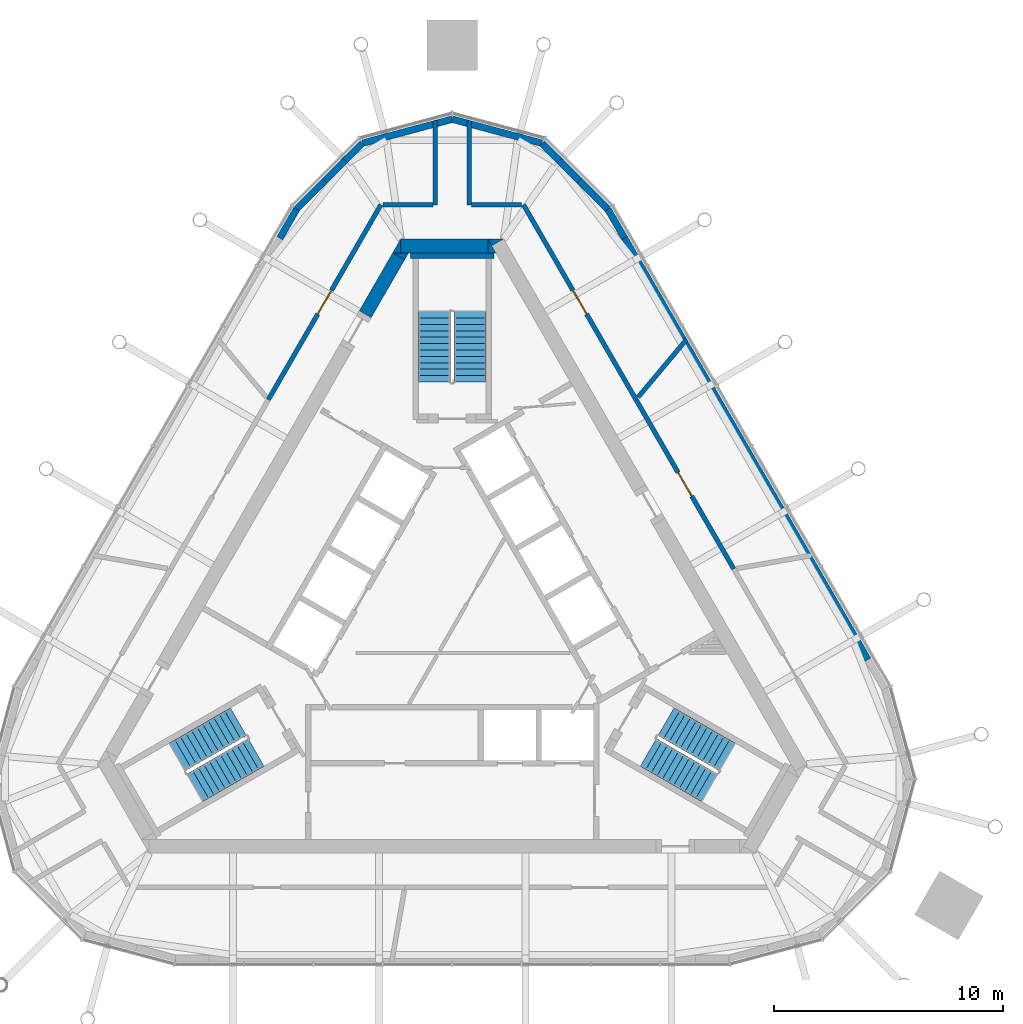
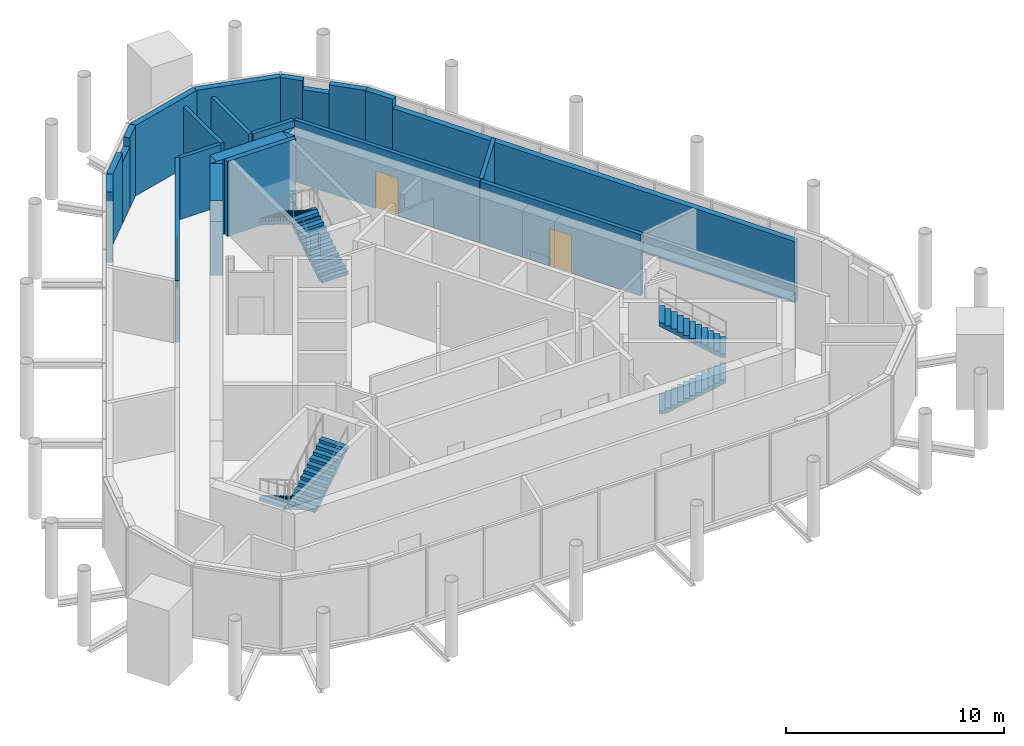
# One storey, part 10 of 11: 26 walls, 6 stair flights, 3 doors, 3 openings, 3 elements without a shape of their own.
"""IFC4 building model written with IfcOpenShell, lengths in metres."""

from ifc_helpers import new_model, si_unit, direction, frame, frame_2d, origin, place, context, subcontext, project, spatial, polyline, rectangle, outline, extrude, material, layer, layer_set, type_object, element, fill, aggregate, save


model = new_model("IFC4")

# Units and contexts
model_context = context("Model", 3, precision=1e-05, world=origin(), true_north=direction((0.0, 1.0)))
body_context = subcontext(model_context, "Body", "Model", "MODEL_VIEW")
ifc_project = project(units=[si_unit("LENGTHUNIT", "METRE"), si_unit("AREAUNIT", "SQUARE_METRE"), si_unit("VOLUMEUNIT", "CUBIC_METRE"), si_unit("PLANEANGLEUNIT", "RADIAN"), si_unit("MASSUNIT", "GRAM", prefix="KILO")], contexts=[model_context])

# Site, building, storey
site_placement = place(None, origin())
site = spatial("IfcSite", under=ifc_project, at=site_placement, CompositionType="ELEMENT")
building_placement = place(site_placement, origin())
building = spatial("IfcBuilding", under=site, at=building_placement, Name="Mestral Congress Tower", CompositionType="ELEMENT")
storey_placement = place(building_placement, frame((0.0, 0.0, 331.800048828125)))
storey = spatial("IfcBuildingStorey", under=building, at=storey_placement, Name="L77", CompositionType="ELEMENT", Elevation=331.800048828125)

# Walls
ifc_material_1 = material(Name="Concrete C60/75", Category="concrete")
ifc_layer_1 = layer(ifc_material_1, 0.60009765625)
ifc_layer_set_1 = layer_set([ifc_layer_1], Name="Concrete C60/75")
wall_type_1 = type_object("IfcWallType", Name="Core wall RC 600", PredefinedType="SOLIDWALL", material=ifc_layer_set_1)
placement = place(storey_placement, origin())
element("IfcWall", 1, at=placement, inside=storey, type_object=wall_type_1, Name="L77 core wall", PredefinedType="SOLIDWALL", context=body_context, shape_type="SweptSolid", body=[
    extrude(outline(polyline([(1.558837890625, 16.60009765625), (2.23486328125, 16.60009765625), (1.727783203125, 16.307373046875), (1.558837890625, 16.60009765625)])), origin(), (0.0, 0.0, 1.0), 4.199951171875),
])
wall_2_placement = place(storey_placement, frame((-2.258056640625, 16.300048828125, 0.0), z_axis=(0.0, 0.0, 1.0), x_axis=(1.0, 0.0, 0.0)))
element("IfcWall", 2, at=wall_2_placement, inside=storey, type_object=wall_type_1, Name="L77 core wall", PredefinedType="SOLIDWALL", context=body_context, shape_type="SweptSolid", body=[
    extrude(rectangle(XDim=3.8232421875, YDim=0.60009765625, at=frame_2d((1.91162109375, 0.0))), origin(), (0.0, 0.0, 1.0), 4.199951171875),
])
element("IfcWall", 3, at=placement, inside=storey, type_object=wall_type_1, Name="L77 core wall", PredefinedType="SOLIDWALL", context=body_context, shape_type="SweptSolid", body=[
    extrude(outline(polyline([(1.9052734375, 16.0), (1.5673828125, 16.0), (1.5673828125, 16.58544921875), (1.9052734375, 16.0)])), origin(), (0.0, 0.0, 1.0), 4.199951171875),
])
element("IfcWall", 4, at=placement, inside=storey, type_object=wall_type_1, Name="L77 core wall", PredefinedType="SOLIDWALL", context=body_context, shape_type="SweptSolid", body=[
    extrude(outline(polyline([(-2.59814453125, 16.0), (-2.260009765625, 16.58544921875), (-2.260009765625, 16.0), (-2.59814453125, 16.0)])), origin(), (0.0, 0.0, 1.0), 4.199951171875),
])
wall_5_placement = place(storey_placement, frame((-2.335205078125, 15.85546875, 0.0), z_axis=(0.0, 0.0, 1.0), x_axis=(-0.499960127962, -0.866048422692, 0.0)))
element("IfcWall", 5, at=wall_5_placement, inside=storey, type_object=wall_type_1, Name="L77 core wall", PredefinedType="SOLIDWALL", context=body_context, shape_type="SweptSolid", body=[
    extrude(rectangle(XDim=2.934326171875, YDim=0.60009765625, at=frame_2d((1.46728515625, 0.0))), origin(), (0.0, 0.0, 1.0), 4.199951171875),
])
element("IfcWall", 6, at=placement, inside=storey, type_object=wall_type_1, Name="L77 core wall", PredefinedType="SOLIDWALL", context=body_context, shape_type="SweptSolid", body=[
    extrude(outline(polyline([(-1.9052734375, 16.0), (-2.07421875, 15.707275390625), (-2.581298828125, 16.0), (-1.9052734375, 16.0)])), origin(), (0.0, 0.0, 1.0), 4.199951171875),
])
ifc_material_2 = material(Name="Precast concrete C40/50 with limestone facing", Category="masonry")
ifc_layer_2 = layer(ifc_material_2, 0.300048828125)
ifc_layer_set_2 = layer_set([ifc_layer_2], Name="Precast concrete C40/50 with limestone facing")
wall_type_2 = type_object("IfcWallType", Name="Crown plant block wall 300", PredefinedType="SOLIDWALL", material=ifc_layer_set_2)
wall_7_placement = place(storey_placement, frame((7.5400390625, 16.64013671875, 0.0), z_axis=(0.0, 0.0, 1.0), x_axis=(-0.499977492351, 0.866038398192, 0.0)))
element("IfcWall", 7, at=wall_7_placement, inside=storey, type_object=wall_type_2, Name="Plant block wall 5", PredefinedType="SOLIDWALL", context=body_context, shape_type="SweptSolid", body=[
    extrude(rectangle(XDim=1.4638671875, YDim=0.300048828125, at=frame_2d((0.73193359375, 0.0))), origin(), (0.0, 0.0, 1.0), 3.949951171875),
])
wall_8_placement = place(storey_placement, frame((6.80810546875, 17.907958984375, 0.0), z_axis=(0.0, 0.0, 1.0), x_axis=(-0.707106781187, 0.707106781187, 0.0)))
element("IfcWall", 8, at=wall_8_placement, inside=storey, type_object=wall_type_2, Name="Plant block wall 6", PredefinedType="SOLIDWALL", context=body_context, shape_type="SweptSolid", body=[
    extrude(rectangle(XDim=1.751953125, YDim=0.300048828125, at=frame_2d((0.8759765625, 0.0))), origin(), (0.0, 0.0, 1.0), 3.949951171875),
])
wall_9_placement = place(storey_placement, frame((4.67529296875, 20.040771484375, 0.0), z_axis=(0.0, 0.0, 1.0), x_axis=(-0.707106781187, 0.707106781187, 0.0)))
element("IfcWall", 9, at=wall_9_placement, inside=storey, type_object=wall_type_2, Name="Plant block wall 6", PredefinedType="SOLIDWALL", context=body_context, shape_type="SweptSolid", body=[
    extrude(rectangle(XDim=1.064697265625, YDim=0.300048828125, at=frame_2d((0.5322265625, 0.0))), origin(), (0.0, 0.0, 1.0), 3.949951171875),
])
for number, where, z_axis, x_axis, name in (
    (10, (3.92236328125, 20.793701171875, 0.0), (0.0, 0.0, 1.0), (-0.965923898226, 0.258826240624, 0.0), "Plant block wall 7"),
    (11, (0.0, 21.8447265625, 0.0), (0.0, 0.0, 1.0), (-0.965923898226, -0.258826240624, 0.0), "Plant block wall 8"),
):
    element("IfcWall", number, at=place(storey_placement, frame(where, z_axis=z_axis, x_axis=x_axis)), inside=storey, type_object=wall_type_2, Name=name, PredefinedType="SOLIDWALL", context=body_context, shape_type="SweptSolid", body=[
        extrude(rectangle(XDim=4.060791015625, YDim=0.300048828125, at=frame_2d((2.0302734375, 0.0))), origin(), (0.0, 0.0, 1.0), 3.949951171875),
    ])
wall_10_placement = place(storey_placement, frame((-3.92236328125, 20.793701171875, 0.0), z_axis=(0.0, 0.0, 1.0), x_axis=(-0.707106781187, -0.707106781187, 0.0)))
element("IfcWall", 12, at=wall_10_placement, inside=storey, type_object=wall_type_2, Name="Plant block wall 9", PredefinedType="SOLIDWALL", context=body_context, shape_type="SweptSolid", body=[
    extrude(rectangle(XDim=1.064697265625, YDim=0.300048828125, at=frame_2d((0.5322265625, 0.0))), origin(), (0.0, 0.0, 1.0), 3.949951171875),
])
wall_11_placement = place(storey_placement, frame((-5.5693359375, 19.146728515625, 0.0), z_axis=(0.0, 0.0, 1.0), x_axis=(-0.707106781187, -0.707106781187, 0.0)))
element("IfcWall", 13, at=wall_11_placement, inside=storey, type_object=wall_type_2, Name="Plant block wall 9", PredefinedType="SOLIDWALL", context=body_context, shape_type="SweptSolid", body=[
    extrude(rectangle(XDim=1.751953125, YDim=0.300048828125, at=frame_2d((0.8759765625, 0.0))), origin(), (0.0, 0.0, 1.0), 3.949951171875),
])
wall_12_placement = place(storey_placement, frame((-6.80810546875, 17.907958984375, 0.0), z_axis=(0.0, 0.0, 1.0), x_axis=(-0.499977492351, -0.866038398192, 0.0)))
element("IfcWall", 14, at=wall_12_placement, inside=storey, type_object=wall_type_2, Name="Plant block wall 10", PredefinedType="SOLIDWALL", context=body_context, shape_type="SweptSolid", body=[
    extrude(rectangle(XDim=1.4638671875, YDim=0.300048828125, at=frame_2d((0.73193359375, 0.0))), origin(), (0.0, 0.0, 1.0), 3.949951171875),
])
ifc_layer_3 = layer(ifc_material_2, 0.300048828125)
ifc_layer_set_3 = layer_set([ifc_layer_3], Name="Precast concrete C40/50 with limestone facing")
wall_type_3 = type_object("IfcWallType", Name="Crown plant block wall 300 under girder", PredefinedType="SOLIDWALL", material=ifc_layer_set_3)
wall_13_placement = place(storey_placement, frame((18.180908203125, -1.790283203125, 0.0), z_axis=(0.0, 0.0, 1.0), x_axis=(-0.500002158106, 0.866024157798, 0.0)))
element("IfcWall", 15, at=wall_13_placement, inside=storey, type_object=wall_type_3, Name="Plant block wall 5", PredefinedType="SOLIDWALL", context=body_context, shape_type="SweptSolid", body=[
    extrude(rectangle(XDim=21.28173828125, YDim=0.300048828125, at=frame_2d((10.640869140625, 0.0))), origin(), (0.0, 0.0, 1.0), 3.449951171875),
])
for number, where, z_axis, x_axis, name in (
    (16, (5.5693359375, 19.146728515625, 0.0), (0.0, 0.0, 1.0), (-0.707106781187, 0.707106781187, 0.0), "Plant block wall 6"),
    (17, (-4.67529296875, 20.040771484375, 0.0), (0.0, 0.0, 1.0), (-0.707106781187, -0.707106781187, 0.0), "Plant block wall 9"),
):
    element("IfcWall", number, at=place(storey_placement, frame(where, z_axis=z_axis, x_axis=x_axis)), inside=storey, type_object=wall_type_3, Name=name, PredefinedType="SOLIDWALL", context=body_context, shape_type="SweptSolid", body=[
        extrude(rectangle(XDim=1.264404296875, YDim=0.300048828125, at=frame_2d((0.63232421875, 0.0))), origin(), (0.0, 0.0, 1.0), 3.449951171875),
    ])

# Wall, opening, door
ifc_material_3 = material(Name="Concrete block wall, plastered", Category="concrete")
ifc_layer_4 = layer(ifc_material_3, 0.199951171875)
ifc_layer_set_4 = layer_set([ifc_layer_4], Name="Concrete block wall, plastered")
wall_type_4 = type_object("IfcWallType", Name="Special partition 200 EI 120", PredefinedType="PARTITIONING", material=ifc_layer_set_4)
wall_14_placement = place(storey_placement, frame((-3.11767578125, 18.10009765625, 0.0), z_axis=(0.0, 0.0, 1.0), x_axis=(-0.500003092839, -0.866023618125, 0.0)))
wall_14 = element("IfcWall", 18, at=wall_14_placement, inside=storey, type_object=wall_type_4, Name="Partition", PredefinedType="PARTITIONING", context=body_context, shape_type="SweptSolid", body=[
    extrude(rectangle(XDim=9.83984375, YDim=0.199951171875, at=frame_2d((4.919921875, 0.0))), origin(), (0.0, 0.0, 1.0), 3.449951171875),
])
opening_1_placement = place(wall_14_placement, frame((4.31982421875, 0.0, 0.0)))
opening_1 = element("IfcOpeningElement", 19, at=opening_1_placement, cuts=wall_14, Name="Opening K77-007", PredefinedType="OPENING", context=body_context, shape_type="SweptSolid", body=[
    extrude(rectangle(XDim=1.199951171875, YDim=2.10009765625, at=frame_2d((0.60009765625, 1.050048828125))), frame((0.0, 0.10986328125, 0.0), z_axis=(0.0, -1.0, 0.0), x_axis=(1.0, 0.0, 0.0)), (0.0, 0.0, 1.0), 0.219970703125),
])
ifc_material_4 = material(Name="Fire-rated steel door set", Category="steel")
door_type = type_object("IfcDoorType", Name="Plant room door 1200x2100", OperationType="SINGLE_SWING_LEFT", PredefinedType="DOOR", material=ifc_material_4)
door_1_placement = place(opening_1_placement, origin())
door_1 = element("IfcDoor", 20, at=door_1_placement, inside=storey, type_object=door_type, Name="Door K77-007", OperationType="SINGLE_SWING_RIGHT", OverallHeight=2.10009765625, OverallWidth=1.199951171875, PredefinedType="DOOR", context=body_context, shape_type="SweptSolid", body=[
    extrude(rectangle(XDim=1.199951171875, YDim=2.10009765625, at=frame_2d((0.60009765625, 1.050048828125))), frame((0.0, 0.02490234375, 0.0), z_axis=(0.0, -1.0, 0.0), x_axis=(1.0, 0.0, 0.0)), (0.0, 0.0, 1.0), 0.050048828125),
])
fill(opening_1, door_1)

wall_15_placement = place(storey_placement, frame((8.03759765625, 9.57861328125, 0.0), z_axis=(0.0, 0.0, 1.0), x_axis=(-0.500003092839, 0.866023618125, 0.0)))
wall_15 = element("IfcWall", 21, at=wall_15_placement, inside=storey, type_object=wall_type_4, Name="Partition", PredefinedType="PARTITIONING", context=body_context, shape_type="SweptSolid", body=[
    extrude(rectangle(XDim=9.83984375, YDim=0.199951171875, at=frame_2d((4.919921875, 0.0))), origin(), (0.0, 0.0, 1.0), 3.449951171875),
])
opening_2_placement = place(wall_15_placement, frame((4.31982421875, 0.0, 0.0)))
opening_2 = element("IfcOpeningElement", 22, at=opening_2_placement, cuts=wall_15, Name="Opening K77-006", PredefinedType="OPENING", context=body_context, shape_type="SweptSolid", body=[
    extrude(rectangle(XDim=1.199951171875, YDim=2.10009765625, at=frame_2d((0.60009765625, 1.050048828125))), frame((0.0, 0.10986328125, 0.0), z_axis=(0.0, -1.0, 0.0), x_axis=(1.0, 0.0, 0.0)), (0.0, 0.0, 1.0), 0.219970703125),
])
door_2_placement = place(opening_2_placement, origin())
door_2 = element("IfcDoor", 23, at=door_2_placement, inside=storey, type_object=door_type, Name="Door K77-006", OperationType="SINGLE_SWING_RIGHT", OverallHeight=2.10009765625, OverallWidth=1.199951171875, PredefinedType="DOOR", context=body_context, shape_type="SweptSolid", body=[
    extrude(rectangle(XDim=1.199951171875, YDim=2.10009765625, at=frame_2d((0.60009765625, 1.050048828125))), frame((0.0, 0.02490234375, 0.0), z_axis=(0.0, -1.0, 0.0), x_axis=(1.0, 0.0, 0.0)), (0.0, 0.0, 1.0), 0.050048828125),
])
fill(opening_2, door_2)

wall_16_placement = place(storey_placement, frame((12.30908203125, 2.1796875, 0.0), z_axis=(0.0, 0.0, 1.0), x_axis=(-0.499966798825, 0.866044571643, 0.0)))
wall_16 = element("IfcWall", 24, at=wall_16_placement, inside=storey, type_object=wall_type_4, Name="Partition", PredefinedType="PARTITIONING", context=body_context, shape_type="SweptSolid", body=[
    extrude(rectangle(XDim=8.53369140625, YDim=0.199951171875, at=frame_2d((4.266845703125, 0.0))), origin(), (0.0, 0.0, 1.0), 3.449951171875),
])
opening_3_placement = place(wall_16_placement, frame((3.6669921875, 0.0, 0.0)))
opening_3 = element("IfcOpeningElement", 25, at=opening_3_placement, cuts=wall_16, Name="Opening K77-005", PredefinedType="OPENING", context=body_context, shape_type="SweptSolid", body=[
    extrude(rectangle(XDim=1.199951171875, YDim=2.10009765625, at=frame_2d((0.60009765625, 1.050048828125))), frame((0.0, 0.10986328125, 0.0), z_axis=(0.0, -1.0, 0.0), x_axis=(1.0, 0.0, 0.0)), (0.0, 0.0, 1.0), 0.219970703125),
])
door_3_placement = place(opening_3_placement, origin())
door_3 = element("IfcDoor", 26, at=door_3_placement, inside=storey, type_object=door_type, Name="Door K77-005", OperationType="SINGLE_SWING_RIGHT", OverallHeight=2.10009765625, OverallWidth=1.199951171875, PredefinedType="DOOR", context=body_context, shape_type="SweptSolid", body=[
    extrude(rectangle(XDim=1.199951171875, YDim=2.10009765625, at=frame_2d((0.60009765625, 1.050048828125))), frame((0.0, 0.02490234375, 0.0), z_axis=(0.0, -1.0, 0.0), x_axis=(1.0, 0.0, 0.0)), (0.0, 0.0, 1.0), 0.050048828125),
])
fill(opening_3, door_3)

# Walls
for number, where, z_axis, x_axis, name in (
    (27, (0.75, 21.78857421875, 0.0), (0.0, 0.0, 1.0), (0.0, -1.0, 0.0), "Partition"),
    (28, (-0.75, 18.10009765625, 0.0), (0.0, 0.0, 1.0), (0.0, 1.0, 0.0), "Partition"),
):
    element("IfcWall", number, at=place(storey_placement, frame(where, z_axis=z_axis, x_axis=x_axis)), inside=storey, type_object=wall_type_4, Name=name, PredefinedType="PARTITIONING", context=body_context, shape_type="SweptSolid", body=[
        extrude(rectangle(XDim=3.6884765625, YDim=0.199951171875, at=frame_2d((1.84423828125, 0.0))), origin(), (0.0, 0.0, 1.0), 3.449951171875),
    ])
wall_17_placement = place(storey_placement, frame((8.12744140625, 9.685791015625, 0.0), z_axis=(0.0, 0.0, 1.0), x_axis=(0.642778991378, 0.766051674656, 0.0)))
element("IfcWall", 29, at=wall_17_placement, inside=storey, type_object=wall_type_4, Name="Partition", PredefinedType="PARTITIONING", context=body_context, shape_type="SweptSolid", body=[
    extrude(rectangle(XDim=3.299560546875, YDim=0.199951171875, at=frame_2d((1.64990234375, 0.0))), origin(), (0.0, 0.0, 1.0), 3.449951171875),
])
for number, where, z_axis, x_axis, name in (
    (30, (-3.027587890625, 18.10009765625, 0.0), (0.0, 0.0, 1.0), (1.0, 0.0, 0.0), "Partition"),
    (31, (0.85009765625, 18.10009765625, 0.0), (0.0, 0.0, 1.0), (1.0, 0.0, 0.0), "Partition"),
):
    element("IfcWall", number, at=place(storey_placement, frame(where, z_axis=z_axis, x_axis=x_axis)), inside=storey, type_object=wall_type_4, Name=name, PredefinedType="PARTITIONING", context=body_context, shape_type="SweptSolid", body=[
        extrude(rectangle(XDim=2.177490234375, YDim=0.199951171875, at=frame_2d((1.0888671875, 0.0))), origin(), (0.0, 0.0, 1.0), 3.449951171875),
    ])
ifc_layer_5 = layer(ifc_material_1, 0.25)
ifc_layer_set_5 = layer_set([ifc_layer_5], Name="Concrete C60/75")
wall_type_5 = type_object("IfcWallType", Name="Stair wall RC 250", PredefinedType="SOLIDWALL", material=ifc_layer_set_5)
wall_18_placement = place(storey_placement, frame((-1.81689453125, 15.875, 0.0), z_axis=(0.0, 0.0, 1.0), x_axis=(1.0, 0.0, 0.0)))
element("IfcWall", 32, at=wall_18_placement, inside=storey, type_object=wall_type_5, Name="L77 core wall", PredefinedType="SOLIDWALL", context=body_context, shape_type="SweptSolid", body=[
    extrude(rectangle(XDim=3.6337890625, YDim=0.25, at=frame_2d((1.81689453125, 0.0))), origin(), (0.0, 0.0, 1.0), 4.199951171875),
])

# Stair, stair flights
stair_type = type_object("IfcStairType", Name="Exit stair 1400", PredefinedType="HALF_TURN_STAIR", material=ifc_material_1)
stair_1 = element("IfcStair", 33, at=placement, inside=storey, type_object=stair_type, Name="L77 ST1", PredefinedType="HALF_TURN_STAIR")
stair_flight_type = type_object("IfcStairFlightType", Name="Exit stair flight 1400", PredefinedType="STRAIGHT", material=ifc_material_1)
stair_flight_1_placement = place(storey_placement, frame((8.575927734375, -5.84619140625, 0.0), z_axis=(0.0, 0.0, 1.0), x_axis=(0.866025403784, -0.5, 0.0)))
stair_flight_1 = element("IfcStairFlight", 34, at=stair_flight_1_placement, type_object=stair_flight_type, Name="ST1 flight 1", NumberOfRisers=12, NumberOfTreads=11, PredefinedType="STRAIGHT", RiserHeight=0.175, TreadLength=0.28, context=body_context, shape_type="SweptSolid", body=[
    extrude(outline(polyline([(0.0, 0.0), (0.0, 0.175048828125), (0.280029296875, 0.175048828125), (0.280029296875, 0.35009765625), (0.56005859375, 0.35009765625), (0.56005859375, 0.52490234375), (0.840087890625, 0.52490234375), (0.840087890625, 0.699951171875), (1.1201171875, 0.699951171875), (1.1201171875, 0.875), (1.39990234375, 0.875), (1.39990234375, 1.050048828125), (1.679931640625, 1.050048828125), (1.679931640625, 1.22509765625), (1.9599609375, 1.22509765625), (1.9599609375, 1.39990234375), (2.239990234375, 1.39990234375), (2.239990234375, 1.574951171875), (2.52001953125, 1.574951171875), (2.52001953125, 1.75), (2.800048828125, 1.75), (2.800048828125, 1.925048828125), (3.080078125, 1.925048828125), (3.080078125, 2.10009765625), (3.080078125, 1.748291015625), (0.28271484375, 0.0), (0.0, 0.0)])), frame((0.0, 0.699951171875, 0.0), z_axis=(0.0, -1.0, 0.0), x_axis=(1.0, 0.0, 0.0)), (0.0, 0.0, 1.0), 1.39990234375),
])
stair_flight_2_placement = place(storey_placement, frame((12.018310546875, -6.0439453125, 2.099853515625), z_axis=(0.0, 0.0, 1.0), x_axis=(-0.866025403784, 0.5, 0.0)))
stair_flight_2 = element("IfcStairFlight", 35, at=stair_flight_2_placement, type_object=stair_flight_type, Name="ST1 flight 2", NumberOfRisers=12, NumberOfTreads=11, PredefinedType="STRAIGHT", RiserHeight=0.175, TreadLength=0.28, context=body_context, shape_type="SweptSolid", body=[
    extrude(outline(polyline([(0.0, 0.0), (0.0, 0.175048828125), (0.280029296875, 0.175048828125), (0.280029296875, 0.35009765625), (0.56005859375, 0.35009765625), (0.56005859375, 0.52490234375), (0.840087890625, 0.52490234375), (0.840087890625, 0.699951171875), (1.1201171875, 0.699951171875), (1.1201171875, 0.875), (1.39990234375, 0.875), (1.39990234375, 1.050048828125), (1.679931640625, 1.050048828125), (1.679931640625, 1.22509765625), (1.9599609375, 1.22509765625), (1.9599609375, 1.39990234375), (2.239990234375, 1.39990234375), (2.239990234375, 1.574951171875), (2.52001953125, 1.574951171875), (2.52001953125, 1.75), (2.800048828125, 1.75), (2.800048828125, 1.925048828125), (3.080078125, 1.925048828125), (3.080078125, 2.10009765625), (3.080078125, 1.748291015625), (0.28271484375, 0.0), (0.0, 0.0)])), frame((0.0, 0.699951171875, 0.0), z_axis=(0.0, -1.0, 0.0), x_axis=(1.0, 0.0, 0.0)), (0.0, 0.0, 1.0), 1.39990234375),
])
aggregate(stair_1, [stair_flight_1, stair_flight_2])

stair_2 = element("IfcStair", 36, at=placement, inside=storey, type_object=stair_type, Name="L77 ST2", PredefinedType="HALF_TURN_STAIR")
stair_flight_3_placement = place(storey_placement, frame((0.77490234375, 10.35009765625, 0.0), z_axis=(0.0, 0.0, 1.0), x_axis=(0.0, 1.0, 0.0)))
stair_flight_3 = element("IfcStairFlight", 37, at=stair_flight_3_placement, type_object=stair_flight_type, Name="ST2 flight 1", NumberOfRisers=12, NumberOfTreads=11, PredefinedType="STRAIGHT", RiserHeight=0.175, TreadLength=0.28, context=body_context, shape_type="SweptSolid", body=[
    extrude(outline(polyline([(0.0, 0.0), (0.0, 0.175048828125), (0.280029296875, 0.175048828125), (0.280029296875, 0.35009765625), (0.56005859375, 0.35009765625), (0.56005859375, 0.52490234375), (0.840087890625, 0.52490234375), (0.840087890625, 0.699951171875), (1.1201171875, 0.699951171875), (1.1201171875, 0.875), (1.39990234375, 0.875), (1.39990234375, 1.050048828125), (1.679931640625, 1.050048828125), (1.679931640625, 1.22509765625), (1.9599609375, 1.22509765625), (1.9599609375, 1.39990234375), (2.239990234375, 1.39990234375), (2.239990234375, 1.574951171875), (2.52001953125, 1.574951171875), (2.52001953125, 1.75), (2.800048828125, 1.75), (2.800048828125, 1.925048828125), (3.080078125, 1.925048828125), (3.080078125, 2.10009765625), (3.080078125, 1.748291015625), (0.28271484375, 0.0), (0.0, 0.0)])), frame((0.0, 0.699951171875, 0.0), z_axis=(0.0, -1.0, 0.0), x_axis=(1.0, 0.0, 0.0)), (0.0, 0.0, 1.0), 1.39990234375),
])
stair_flight_4_placement = place(storey_placement, frame((-0.77490234375, 13.429931640625, 2.099853515625), z_axis=(0.0, 0.0, 1.0), x_axis=(0.0, -1.0, 0.0)))
stair_flight_4 = element("IfcStairFlight", 38, at=stair_flight_4_placement, type_object=stair_flight_type, Name="ST2 flight 2", NumberOfRisers=12, NumberOfTreads=11, PredefinedType="STRAIGHT", RiserHeight=0.175, TreadLength=0.28, context=body_context, shape_type="SweptSolid", body=[
    extrude(outline(polyline([(0.0, 0.0), (0.0, 0.175048828125), (0.280029296875, 0.175048828125), (0.280029296875, 0.35009765625), (0.56005859375, 0.35009765625), (0.56005859375, 0.52490234375), (0.840087890625, 0.52490234375), (0.840087890625, 0.699951171875), (1.1201171875, 0.699951171875), (1.1201171875, 0.875), (1.39990234375, 0.875), (1.39990234375, 1.050048828125), (1.679931640625, 1.050048828125), (1.679931640625, 1.22509765625), (1.9599609375, 1.22509765625), (1.9599609375, 1.39990234375), (2.239990234375, 1.39990234375), (2.239990234375, 1.574951171875), (2.52001953125, 1.574951171875), (2.52001953125, 1.75), (2.800048828125, 1.75), (2.800048828125, 1.925048828125), (3.080078125, 1.925048828125), (3.080078125, 2.10009765625), (3.080078125, 1.748291015625), (0.28271484375, 0.0), (0.0, 0.0)])), frame((0.0, 0.699951171875, 0.0), z_axis=(0.0, -1.0, 0.0), x_axis=(1.0, 0.0, 0.0)), (0.0, 0.0, 1.0), 1.39990234375),
])
aggregate(stair_2, [stair_flight_3, stair_flight_4])

stair_3 = element("IfcStair", 39, at=placement, inside=storey, type_object=stair_type, Name="L77 ST3", PredefinedType="HALF_TURN_STAIR")
stair_flight_5_placement = place(storey_placement, frame((-9.350830078125, -4.50390625, 0.0), z_axis=(0.0, 0.0, 1.0), x_axis=(-0.866025403784, -0.5, 0.0)))
stair_flight_5 = element("IfcStairFlight", 40, at=stair_flight_5_placement, type_object=stair_flight_type, Name="ST3 flight 1", NumberOfRisers=12, NumberOfTreads=11, PredefinedType="STRAIGHT", RiserHeight=0.175, TreadLength=0.28, context=body_context, shape_type="SweptSolid", body=[
    extrude(outline(polyline([(0.0, 0.0), (0.0, 0.175048828125), (0.280029296875, 0.175048828125), (0.280029296875, 0.35009765625), (0.56005859375, 0.35009765625), (0.56005859375, 0.52490234375), (0.840087890625, 0.52490234375), (0.840087890625, 0.699951171875), (1.1201171875, 0.699951171875), (1.1201171875, 0.875), (1.39990234375, 0.875), (1.39990234375, 1.050048828125), (1.679931640625, 1.050048828125), (1.679931640625, 1.22509765625), (1.9599609375, 1.22509765625), (1.9599609375, 1.39990234375), (2.239990234375, 1.39990234375), (2.239990234375, 1.574951171875), (2.52001953125, 1.574951171875), (2.52001953125, 1.75), (2.800048828125, 1.75), (2.800048828125, 1.925048828125), (3.080078125, 1.925048828125), (3.080078125, 2.10009765625), (3.080078125, 1.748291015625), (0.28271484375, 0.0), (0.0, 0.0)])), frame((0.0, 0.699951171875, 0.0), z_axis=(0.0, -1.0, 0.0), x_axis=(1.0, 0.0, 0.0)), (0.0, 0.0, 1.0), 1.39990234375),
])
stair_flight_6_placement = place(storey_placement, frame((-11.2431640625, -7.38623046875, 2.099853515625), z_axis=(0.0, 0.0, 1.0), x_axis=(0.866025403784, 0.5, 0.0)))
stair_flight_6 = element("IfcStairFlight", 41, at=stair_flight_6_placement, type_object=stair_flight_type, Name="ST3 flight 2", NumberOfRisers=12, NumberOfTreads=11, PredefinedType="STRAIGHT", RiserHeight=0.175, TreadLength=0.28, context=body_context, shape_type="SweptSolid", body=[
    extrude(outline(polyline([(0.0, 0.0), (0.0, 0.175048828125), (0.280029296875, 0.175048828125), (0.280029296875, 0.35009765625), (0.56005859375, 0.35009765625), (0.56005859375, 0.52490234375), (0.840087890625, 0.52490234375), (0.840087890625, 0.699951171875), (1.1201171875, 0.699951171875), (1.1201171875, 0.875), (1.39990234375, 0.875), (1.39990234375, 1.050048828125), (1.679931640625, 1.050048828125), (1.679931640625, 1.22509765625), (1.9599609375, 1.22509765625), (1.9599609375, 1.39990234375), (2.239990234375, 1.39990234375), (2.239990234375, 1.574951171875), (2.52001953125, 1.574951171875), (2.52001953125, 1.75), (2.800048828125, 1.75), (2.800048828125, 1.925048828125), (3.080078125, 1.925048828125), (3.080078125, 2.10009765625), (3.080078125, 1.748291015625), (0.28271484375, 0.0), (0.0, 0.0)])), frame((0.0, 0.699951171875, 0.0), z_axis=(0.0, -1.0, 0.0), x_axis=(1.0, 0.0, 0.0)), (0.0, 0.0, 1.0), 1.39990234375),
])
aggregate(stair_3, [stair_flight_5, stair_flight_6])

save(model, "model.ifc")
